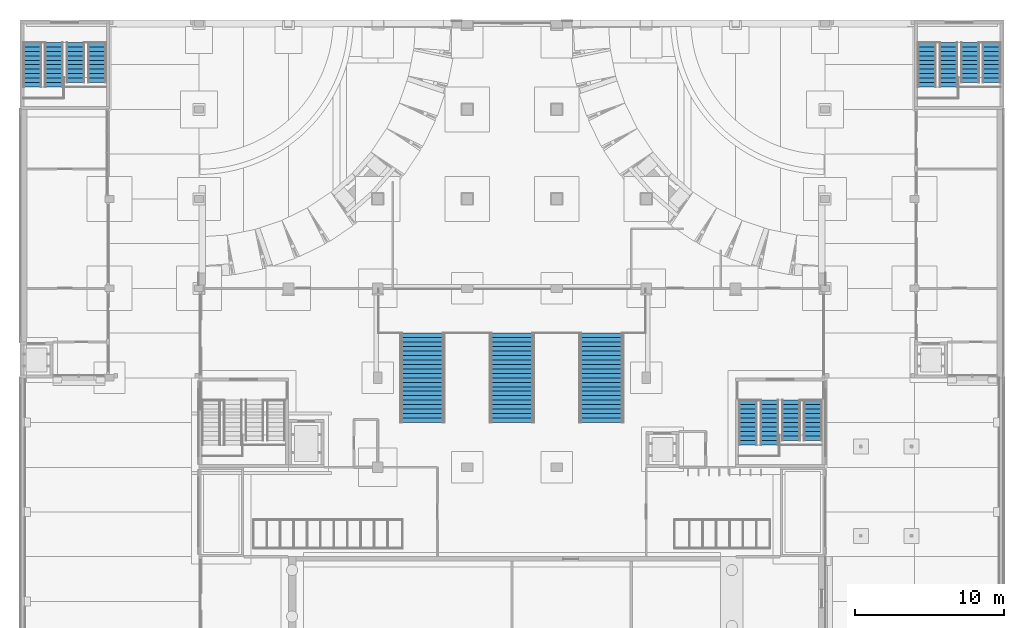
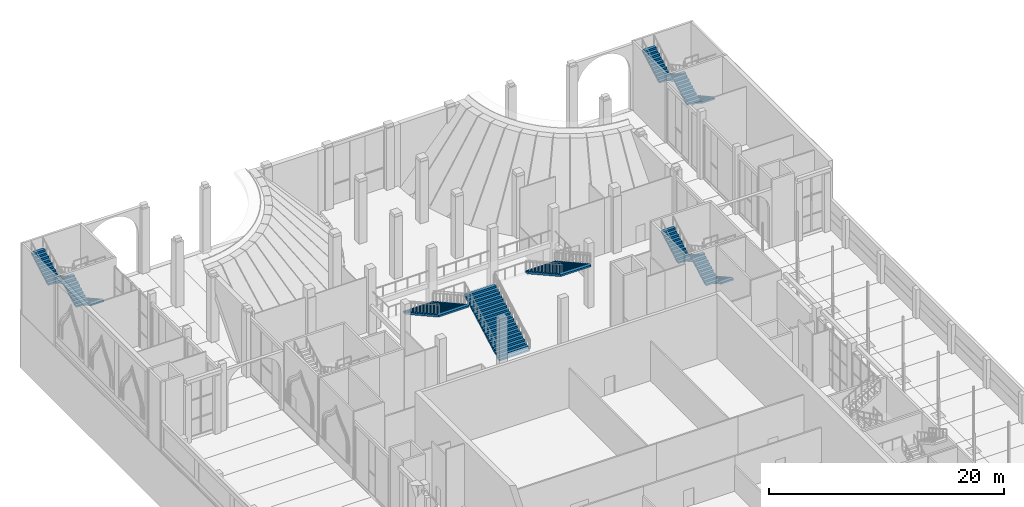
# One storey, part 55 of 95: 15 stair flights, 4 elements without a shape of their own.
"""IFC4 building model written with IfcOpenShell, lengths in metres."""

from ifc_helpers import new_model, si_unit, direction, frame, origin, place, context, subcontext, project, spatial, polyline, outline, extrude, material, type_object, element, aggregate, save


model = new_model("IFC4")

# Units and contexts
model_context = context("Model", 3, precision=1e-05, world=origin(), true_north=direction((0.0, 1.0)))
body_context = subcontext(model_context, "Body", "Model", "MODEL_VIEW")
ifc_project = project(units=[si_unit("LENGTHUNIT", "METRE"), si_unit("AREAUNIT", "SQUARE_METRE"), si_unit("VOLUMEUNIT", "CUBIC_METRE"), si_unit("PLANEANGLEUNIT", "RADIAN"), si_unit("MASSUNIT", "GRAM", prefix="KILO")], contexts=[model_context])

# Site, building, storey
site_placement = place(None, origin())
site = spatial("IfcSite", under=ifc_project, at=site_placement, CompositionType="ELEMENT")
building_placement = place(site_placement, origin())
building = spatial("IfcBuilding", under=site, at=building_placement, Name="Saffron Lane Theatres", CompositionType="ELEMENT")
storey_placement = place(building_placement, origin())
storey = spatial("IfcBuildingStorey", under=building, at=storey_placement, Name="L00", CompositionType="ELEMENT", Elevation=0.0)

# Stair, stair flights
ifc_material_1 = material(Name="Concrete N40 (40 MPa)", Category="concrete")
stair_type_1 = type_object("IfcStairType", Name="VC-STAIR EXIT", PredefinedType="TWO_STRAIGHT_RUN_STAIR", material=ifc_material_1)
stair_1_placement = place(storey_placement, origin())
stair_1 = element("IfcStair", 1, at=stair_1_placement, inside=storey, type_object=stair_type_1, Name="Brick Block East Stair L00 to L01", PredefinedType="TWO_STRAIGHT_RUN_STAIR")
ifc_material_2 = material(Name="Concrete N40 (40 MPa)", Category="concrete")
stair_flight_type_1 = type_object("IfcStairFlightType", Name="VC-FLIGHT 1250", PredefinedType="STRAIGHT", material=ifc_material_2)
stair_flight_1_placement = place(storey_placement, frame((53.175048828125, 100.5, 0.0), z_axis=(0.0, 0.0, 1.0), x_axis=(0.0, -1.0, 0.0)))
stair_flight_1 = element("IfcStairFlight", 2, at=stair_flight_1_placement, type_object=stair_flight_type_1, Name="Brick Block East Stair flight 1.1", NumberOfRisers=10, NumberOfTreads=9, PredefinedType="STRAIGHT", RiserHeight=0.166666667, TreadLength=0.3, context=body_context, shape_type="SweptSolid", body=[
    extrude(outline(polyline([(0.0, 0.0), (0.0, 0.166748046875), (0.300048828125, 0.166748046875), (0.300048828125, 0.333251953125), (0.60009765625, 0.333251953125), (0.60009765625, 0.5), (0.89990234375, 0.5), (0.89990234375, 0.666748046875), (1.199951171875, 0.666748046875), (1.199951171875, 0.833251953125), (1.5, 0.833251953125), (1.5, 1.0), (1.800048828125, 1.0), (1.800048828125, 1.166748046875), (2.10009765625, 1.166748046875), (2.10009765625, 1.333251953125), (2.39990234375, 1.333251953125), (2.39990234375, 1.5), (2.699951171875, 1.5), (2.699951171875, 1.666748046875), (2.699951171875, 1.32861328125), (0.30859375, 0.0), (0.0, 0.0)])), frame((0.0, 0.625, 0.0), z_axis=(0.0, -1.0, 0.0), x_axis=(1.0, 0.0, 0.0)), (0.0, 0.0, 1.0), 1.25),
])
stair_flight_2_placement = place(storey_placement, frame((51.72509765625, 97.800048828125, 1.666748046875), z_axis=(0.0, 0.0, 1.0), x_axis=(0.0, 1.0, 0.0)))
stair_flight_2 = element("IfcStairFlight", 3, at=stair_flight_2_placement, type_object=stair_flight_type_1, Name="Brick Block East Stair flight 1.2", NumberOfRisers=10, NumberOfTreads=9, PredefinedType="STRAIGHT", RiserHeight=0.166666667, TreadLength=0.3, context=body_context, shape_type="SweptSolid", body=[
    extrude(outline(polyline([(0.0, 0.0), (0.0, 0.166748046875), (0.300048828125, 0.166748046875), (0.300048828125, 0.333251953125), (0.60009765625, 0.333251953125), (0.60009765625, 0.5), (0.89990234375, 0.5), (0.89990234375, 0.666748046875), (1.199951171875, 0.666748046875), (1.199951171875, 0.833251953125), (1.5, 0.833251953125), (1.5, 1.0), (1.800048828125, 1.0), (1.800048828125, 1.166748046875), (2.10009765625, 1.166748046875), (2.10009765625, 1.333251953125), (2.39990234375, 1.333251953125), (2.39990234375, 1.5), (2.699951171875, 1.5), (2.699951171875, 1.666748046875), (2.699951171875, 1.32861328125), (0.30859375, 0.0), (0.0, 0.0)])), frame((0.0, 0.625, 0.0), z_axis=(0.0, -1.0, 0.0), x_axis=(1.0, 0.0, 0.0)), (0.0, 0.0, 1.0), 1.25),
])
stair_flight_3_placement = place(storey_placement, frame((50.27490234375, 100.5, 3.333251953125), z_axis=(0.0, 0.0, 1.0), x_axis=(0.0, -1.0, 0.0)))
stair_flight_3 = element("IfcStairFlight", 4, at=stair_flight_3_placement, type_object=stair_flight_type_1, Name="Brick Block East Stair flight 1.3", NumberOfRisers=11, NumberOfTreads=10, PredefinedType="STRAIGHT", RiserHeight=0.166666667, TreadLength=0.3, context=body_context, shape_type="SweptSolid", body=[
    extrude(outline(polyline([(0.0, 0.0), (0.0, 0.166748046875), (0.300048828125, 0.166748046875), (0.300048828125, 0.333251953125), (0.60009765625, 0.333251953125), (0.60009765625, 0.5), (0.89990234375, 0.5), (0.89990234375, 0.666748046875), (1.199951171875, 0.666748046875), (1.199951171875, 0.833251953125), (1.5, 0.833251953125), (1.5, 1.0), (1.800048828125, 1.0), (1.800048828125, 1.166748046875), (2.10009765625, 1.166748046875), (2.10009765625, 1.333251953125), (2.39990234375, 1.333251953125), (2.39990234375, 1.5), (2.699951171875, 1.5), (2.699951171875, 1.666748046875), (3.0, 1.666748046875), (3.0, 1.833251953125), (3.0, 1.4951171875), (0.30859375, 0.0), (0.0, 0.0)])), frame((0.0, 0.625, 0.0), z_axis=(0.0, -1.0, 0.0), x_axis=(1.0, 0.0, 0.0)), (0.0, 0.0, 1.0), 1.25),
])
stair_flight_4_placement = place(storey_placement, frame((48.824951171875, 97.5, 5.166748046875), z_axis=(0.0, 0.0, 1.0), x_axis=(0.0, 1.0, 0.0)))
stair_flight_4 = element("IfcStairFlight", 5, at=stair_flight_4_placement, type_object=stair_flight_type_1, Name="Brick Block East Stair flight 1.4", NumberOfRisers=11, NumberOfTreads=10, PredefinedType="STRAIGHT", RiserHeight=0.166666667, TreadLength=0.3, context=body_context, shape_type="SweptSolid", body=[
    extrude(outline(polyline([(0.0, 0.0), (0.0, 0.166748046875), (0.300048828125, 0.166748046875), (0.300048828125, 0.333251953125), (0.60009765625, 0.333251953125), (0.60009765625, 0.5), (0.89990234375, 0.5), (0.89990234375, 0.666748046875), (1.199951171875, 0.666748046875), (1.199951171875, 0.833251953125), (1.5, 0.833251953125), (1.5, 1.0), (1.800048828125, 1.0), (1.800048828125, 1.166748046875), (2.10009765625, 1.166748046875), (2.10009765625, 1.333251953125), (2.39990234375, 1.333251953125), (2.39990234375, 1.5), (2.699951171875, 1.5), (2.699951171875, 1.666748046875), (3.0, 1.666748046875), (3.0, 1.833251953125), (3.0, 1.4951171875), (0.30859375, 0.0), (0.0, 0.0)])), frame((0.0, 0.625, 0.0), z_axis=(0.0, -1.0, 0.0), x_axis=(1.0, 0.0, 0.0)), (0.0, 0.0, 1.0), 1.25),
])
aggregate(stair_1, [stair_flight_1, stair_flight_2, stair_flight_3, stair_flight_4])

stair_2_placement = place(storey_placement, origin())
stair_2 = element("IfcStair", 6, at=stair_2_placement, inside=storey, type_object=stair_type_1, Name="West Wing Street Stair L00 to L01", PredefinedType="TWO_STRAIGHT_RUN_STAIR")
stair_flight_5_placement = place(storey_placement, frame((5.175048828125, 124.5, 0.0), z_axis=(0.0, 0.0, 1.0), x_axis=(0.0, -1.0, 0.0)))
stair_flight_5 = element("IfcStairFlight", 7, at=stair_flight_5_placement, type_object=stair_flight_type_1, Name="West Wing Street Stair flight 1.1", NumberOfRisers=10, NumberOfTreads=9, PredefinedType="STRAIGHT", RiserHeight=0.166666667, TreadLength=0.3, context=body_context, shape_type="SweptSolid", body=[
    extrude(outline(polyline([(0.0, 0.0), (0.0, 0.166748046875), (0.300048828125, 0.166748046875), (0.300048828125, 0.333251953125), (0.60009765625, 0.333251953125), (0.60009765625, 0.5), (0.89990234375, 0.5), (0.89990234375, 0.666748046875), (1.199951171875, 0.666748046875), (1.199951171875, 0.833251953125), (1.5, 0.833251953125), (1.5, 1.0), (1.800048828125, 1.0), (1.800048828125, 1.166748046875), (2.10009765625, 1.166748046875), (2.10009765625, 1.333251953125), (2.39990234375, 1.333251953125), (2.39990234375, 1.5), (2.699951171875, 1.5), (2.699951171875, 1.666748046875), (2.699951171875, 1.32861328125), (0.30859375, 0.0), (0.0, 0.0)])), frame((0.0, 0.625, 0.0), z_axis=(0.0, -1.0, 0.0), x_axis=(1.0, 0.0, 0.0)), (0.0, 0.0, 1.0), 1.25),
])
stair_flight_6_placement = place(storey_placement, frame((3.72509765625, 121.800048828125, 1.666748046875), z_axis=(0.0, 0.0, 1.0), x_axis=(0.0, 1.0, 0.0)))
stair_flight_6 = element("IfcStairFlight", 8, at=stair_flight_6_placement, type_object=stair_flight_type_1, Name="West Wing Street Stair flight 1.2", NumberOfRisers=10, NumberOfTreads=9, PredefinedType="STRAIGHT", RiserHeight=0.166666667, TreadLength=0.3, context=body_context, shape_type="SweptSolid", body=[
    extrude(outline(polyline([(0.0, 0.0), (0.0, 0.166748046875), (0.300048828125, 0.166748046875), (0.300048828125, 0.333251953125), (0.60009765625, 0.333251953125), (0.60009765625, 0.5), (0.89990234375, 0.5), (0.89990234375, 0.666748046875), (1.199951171875, 0.666748046875), (1.199951171875, 0.833251953125), (1.5, 0.833251953125), (1.5, 1.0), (1.800048828125, 1.0), (1.800048828125, 1.166748046875), (2.10009765625, 1.166748046875), (2.10009765625, 1.333251953125), (2.39990234375, 1.333251953125), (2.39990234375, 1.5), (2.699951171875, 1.5), (2.699951171875, 1.666748046875), (2.699951171875, 1.32861328125), (0.30859375, 0.0), (0.0, 0.0)])), frame((0.0, 0.625, 0.0), z_axis=(0.0, -1.0, 0.0), x_axis=(1.0, 0.0, 0.0)), (0.0, 0.0, 1.0), 1.25),
])
stair_flight_7_placement = place(storey_placement, frame((2.27490234375, 124.5, 3.333251953125), z_axis=(0.0, 0.0, 1.0), x_axis=(0.0, -1.0, 0.0)))
stair_flight_7 = element("IfcStairFlight", 9, at=stair_flight_7_placement, type_object=stair_flight_type_1, Name="West Wing Street Stair flight 1.3", NumberOfRisers=11, NumberOfTreads=10, PredefinedType="STRAIGHT", RiserHeight=0.166666667, TreadLength=0.3, context=body_context, shape_type="SweptSolid", body=[
    extrude(outline(polyline([(0.0, 0.0), (0.0, 0.166748046875), (0.300048828125, 0.166748046875), (0.300048828125, 0.333251953125), (0.60009765625, 0.333251953125), (0.60009765625, 0.5), (0.89990234375, 0.5), (0.89990234375, 0.666748046875), (1.199951171875, 0.666748046875), (1.199951171875, 0.833251953125), (1.5, 0.833251953125), (1.5, 1.0), (1.800048828125, 1.0), (1.800048828125, 1.166748046875), (2.10009765625, 1.166748046875), (2.10009765625, 1.333251953125), (2.39990234375, 1.333251953125), (2.39990234375, 1.5), (2.699951171875, 1.5), (2.699951171875, 1.666748046875), (3.0, 1.666748046875), (3.0, 1.833251953125), (3.0, 1.4951171875), (0.30859375, 0.0), (0.0, 0.0)])), frame((0.0, 0.625, 0.0), z_axis=(0.0, -1.0, 0.0), x_axis=(1.0, 0.0, 0.0)), (0.0, 0.0, 1.0), 1.25),
])
stair_flight_8_placement = place(storey_placement, frame((0.824951171875, 121.5, 5.166748046875), z_axis=(0.0, 0.0, 1.0), x_axis=(0.0, 1.0, 0.0)))
stair_flight_8 = element("IfcStairFlight", 10, at=stair_flight_8_placement, type_object=stair_flight_type_1, Name="West Wing Street Stair flight 1.4", NumberOfRisers=11, NumberOfTreads=10, PredefinedType="STRAIGHT", RiserHeight=0.166666667, TreadLength=0.3, context=body_context, shape_type="SweptSolid", body=[
    extrude(outline(polyline([(0.0, 0.0), (0.0, 0.166748046875), (0.300048828125, 0.166748046875), (0.300048828125, 0.333251953125), (0.60009765625, 0.333251953125), (0.60009765625, 0.5), (0.89990234375, 0.5), (0.89990234375, 0.666748046875), (1.199951171875, 0.666748046875), (1.199951171875, 0.833251953125), (1.5, 0.833251953125), (1.5, 1.0), (1.800048828125, 1.0), (1.800048828125, 1.166748046875), (2.10009765625, 1.166748046875), (2.10009765625, 1.333251953125), (2.39990234375, 1.333251953125), (2.39990234375, 1.5), (2.699951171875, 1.5), (2.699951171875, 1.666748046875), (3.0, 1.666748046875), (3.0, 1.833251953125), (3.0, 1.4951171875), (0.30859375, 0.0), (0.0, 0.0)])), frame((0.0, 0.625, 0.0), z_axis=(0.0, -1.0, 0.0), x_axis=(1.0, 0.0, 0.0)), (0.0, 0.0, 1.0), 1.25),
])
aggregate(stair_2, [stair_flight_5, stair_flight_6, stair_flight_7, stair_flight_8])

stair_3_placement = place(storey_placement, origin())
stair_3 = element("IfcStair", 11, at=stair_3_placement, inside=storey, type_object=stair_type_1, Name="East Wing Street Stair L00 to L01", PredefinedType="TWO_STRAIGHT_RUN_STAIR")
stair_flight_9_placement = place(storey_placement, frame((65.175048828125, 124.5, 0.0), z_axis=(0.0, 0.0, 1.0), x_axis=(0.0, -1.0, 0.0)))
stair_flight_9 = element("IfcStairFlight", 12, at=stair_flight_9_placement, type_object=stair_flight_type_1, Name="East Wing Street Stair flight 1.1", NumberOfRisers=10, NumberOfTreads=9, PredefinedType="STRAIGHT", RiserHeight=0.166666667, TreadLength=0.3, context=body_context, shape_type="SweptSolid", body=[
    extrude(outline(polyline([(0.0, 0.0), (0.0, 0.166748046875), (0.300048828125, 0.166748046875), (0.300048828125, 0.333251953125), (0.60009765625, 0.333251953125), (0.60009765625, 0.5), (0.89990234375, 0.5), (0.89990234375, 0.666748046875), (1.199951171875, 0.666748046875), (1.199951171875, 0.833251953125), (1.5, 0.833251953125), (1.5, 1.0), (1.800048828125, 1.0), (1.800048828125, 1.166748046875), (2.10009765625, 1.166748046875), (2.10009765625, 1.333251953125), (2.39990234375, 1.333251953125), (2.39990234375, 1.5), (2.699951171875, 1.5), (2.699951171875, 1.666748046875), (2.699951171875, 1.32861328125), (0.30859375, 0.0), (0.0, 0.0)])), frame((0.0, 0.625, 0.0), z_axis=(0.0, -1.0, 0.0), x_axis=(1.0, 0.0, 0.0)), (0.0, 0.0, 1.0), 1.25),
])
stair_flight_10_placement = place(storey_placement, frame((63.72509765625, 121.800048828125, 1.666748046875), z_axis=(0.0, 0.0, 1.0), x_axis=(0.0, 1.0, 0.0)))
stair_flight_10 = element("IfcStairFlight", 13, at=stair_flight_10_placement, type_object=stair_flight_type_1, Name="East Wing Street Stair flight 1.2", NumberOfRisers=10, NumberOfTreads=9, PredefinedType="STRAIGHT", RiserHeight=0.166666667, TreadLength=0.3, context=body_context, shape_type="SweptSolid", body=[
    extrude(outline(polyline([(0.0, 0.0), (0.0, 0.166748046875), (0.300048828125, 0.166748046875), (0.300048828125, 0.333251953125), (0.60009765625, 0.333251953125), (0.60009765625, 0.5), (0.89990234375, 0.5), (0.89990234375, 0.666748046875), (1.199951171875, 0.666748046875), (1.199951171875, 0.833251953125), (1.5, 0.833251953125), (1.5, 1.0), (1.800048828125, 1.0), (1.800048828125, 1.166748046875), (2.10009765625, 1.166748046875), (2.10009765625, 1.333251953125), (2.39990234375, 1.333251953125), (2.39990234375, 1.5), (2.699951171875, 1.5), (2.699951171875, 1.666748046875), (2.699951171875, 1.32861328125), (0.30859375, 0.0), (0.0, 0.0)])), frame((0.0, 0.625, 0.0), z_axis=(0.0, -1.0, 0.0), x_axis=(1.0, 0.0, 0.0)), (0.0, 0.0, 1.0), 1.25),
])
stair_flight_11_placement = place(storey_placement, frame((62.27490234375, 124.5, 3.333251953125), z_axis=(0.0, 0.0, 1.0), x_axis=(0.0, -1.0, 0.0)))
stair_flight_11 = element("IfcStairFlight", 14, at=stair_flight_11_placement, type_object=stair_flight_type_1, Name="East Wing Street Stair flight 1.3", NumberOfRisers=11, NumberOfTreads=10, PredefinedType="STRAIGHT", RiserHeight=0.166666667, TreadLength=0.3, context=body_context, shape_type="SweptSolid", body=[
    extrude(outline(polyline([(0.0, 0.0), (0.0, 0.166748046875), (0.300048828125, 0.166748046875), (0.300048828125, 0.333251953125), (0.60009765625, 0.333251953125), (0.60009765625, 0.5), (0.89990234375, 0.5), (0.89990234375, 0.666748046875), (1.199951171875, 0.666748046875), (1.199951171875, 0.833251953125), (1.5, 0.833251953125), (1.5, 1.0), (1.800048828125, 1.0), (1.800048828125, 1.166748046875), (2.10009765625, 1.166748046875), (2.10009765625, 1.333251953125), (2.39990234375, 1.333251953125), (2.39990234375, 1.5), (2.699951171875, 1.5), (2.699951171875, 1.666748046875), (3.0, 1.666748046875), (3.0, 1.833251953125), (3.0, 1.4951171875), (0.30859375, 0.0), (0.0, 0.0)])), frame((0.0, 0.625, 0.0), z_axis=(0.0, -1.0, 0.0), x_axis=(1.0, 0.0, 0.0)), (0.0, 0.0, 1.0), 1.25),
])
stair_flight_12_placement = place(storey_placement, frame((60.824951171875, 121.5, 5.166748046875), z_axis=(0.0, 0.0, 1.0), x_axis=(0.0, 1.0, 0.0)))
stair_flight_12 = element("IfcStairFlight", 15, at=stair_flight_12_placement, type_object=stair_flight_type_1, Name="East Wing Street Stair flight 1.4", NumberOfRisers=11, NumberOfTreads=10, PredefinedType="STRAIGHT", RiserHeight=0.166666667, TreadLength=0.3, context=body_context, shape_type="SweptSolid", body=[
    extrude(outline(polyline([(0.0, 0.0), (0.0, 0.166748046875), (0.300048828125, 0.166748046875), (0.300048828125, 0.333251953125), (0.60009765625, 0.333251953125), (0.60009765625, 0.5), (0.89990234375, 0.5), (0.89990234375, 0.666748046875), (1.199951171875, 0.666748046875), (1.199951171875, 0.833251953125), (1.5, 0.833251953125), (1.5, 1.0), (1.800048828125, 1.0), (1.800048828125, 1.166748046875), (2.10009765625, 1.166748046875), (2.10009765625, 1.333251953125), (2.39990234375, 1.333251953125), (2.39990234375, 1.5), (2.699951171875, 1.5), (2.699951171875, 1.666748046875), (3.0, 1.666748046875), (3.0, 1.833251953125), (3.0, 1.4951171875), (0.30859375, 0.0), (0.0, 0.0)])), frame((0.0, 0.625, 0.0), z_axis=(0.0, -1.0, 0.0), x_axis=(1.0, 0.0, 0.0)), (0.0, 0.0, 1.0), 1.25),
])
aggregate(stair_3, [stair_flight_9, stair_flight_10, stair_flight_11, stair_flight_12])

ifc_material_3 = material(Name="Concrete N40 (40 MPa)", Category="concrete")
stair_type_2 = type_object("IfcStairType", Name="VC-STAIR GRAND", PredefinedType="DOUBLE_RETURN_STAIR", material=ifc_material_3)
stair_4_placement = place(storey_placement, origin())
stair_4 = element("IfcStair", 16, at=stair_4_placement, inside=storey, type_object=stair_type_2, Name="Grand Stair L00 to L01", PredefinedType="DOUBLE_RETURN_STAIR")
ifc_material_4 = material(Name="Concrete N40 (40 MPa)", Category="concrete")
stair_flight_type_2 = type_object("IfcStairFlightType", Name="VC-FLIGHT 3000", PredefinedType="STRAIGHT", material=ifc_material_4)
stair_flight_13_placement = place(storey_placement, frame((33.0, 99.0, 0.0), z_axis=(0.0, 0.0, 1.0), x_axis=(0.0, 1.0, 0.0)))
stair_flight_13 = element("IfcStairFlight", 17, at=stair_flight_13_placement, type_object=stair_flight_type_2, Name="Grand Stair flight 1.1", NumberOfRisers=21, NumberOfTreads=20, PredefinedType="STRAIGHT", RiserHeight=0.166666667, TreadLength=0.3, context=body_context, shape_type="SweptSolid", body=[
    extrude(outline(polyline([(0.0, 0.0), (0.0, 0.166748046875), (0.300048828125, 0.166748046875), (0.300048828125, 0.333251953125), (0.60009765625, 0.333251953125), (0.60009765625, 0.5), (0.89990234375, 0.5), (0.89990234375, 0.666748046875), (1.199951171875, 0.666748046875), (1.199951171875, 0.833251953125), (1.5, 0.833251953125), (1.5, 1.0), (1.800048828125, 1.0), (1.800048828125, 1.166748046875), (2.10009765625, 1.166748046875), (2.10009765625, 1.333251953125), (2.39990234375, 1.333251953125), (2.39990234375, 1.5), (2.699951171875, 1.5), (2.699951171875, 1.666748046875), (3.0, 1.666748046875), (3.0, 1.833251953125), (3.300048828125, 1.833251953125), (3.300048828125, 2.0), (3.60009765625, 2.0), (3.60009765625, 2.166748046875), (3.89990234375, 2.166748046875), (3.89990234375, 2.333251953125), (4.199951171875, 2.333251953125), (4.199951171875, 2.5), (4.5, 2.5), (4.5, 2.666748046875), (4.800048828125, 2.666748046875), (4.800048828125, 2.833251953125), (5.10009765625, 2.833251953125), (5.10009765625, 3.0), (5.39990234375, 3.0), (5.39990234375, 3.166748046875), (5.699951171875, 3.166748046875), (5.699951171875, 3.333251953125), (6.0, 3.333251953125), (6.0, 3.5), (6.0, 3.161865234375), (0.30859375, 0.0), (0.0, 0.0)])), frame((0.0, 1.5, 0.0), z_axis=(0.0, -1.0, 0.0), x_axis=(1.0, 0.0, 0.0)), (0.0, 0.0, 1.0), 3.0),
])
stair_flight_14_placement = place(storey_placement, frame((27.0, 105.0, 3.5), z_axis=(0.0, 0.0, 1.0), x_axis=(0.0, -1.0, 0.0)))
stair_flight_14 = element("IfcStairFlight", 18, at=stair_flight_14_placement, type_object=stair_flight_type_2, Name="Grand Stair flight 1.2", NumberOfRisers=21, NumberOfTreads=20, PredefinedType="STRAIGHT", RiserHeight=0.166666667, TreadLength=0.3, context=body_context, shape_type="SweptSolid", body=[
    extrude(outline(polyline([(0.0, 0.0), (0.0, 0.166748046875), (0.300048828125, 0.166748046875), (0.300048828125, 0.333251953125), (0.60009765625, 0.333251953125), (0.60009765625, 0.5), (0.89990234375, 0.5), (0.89990234375, 0.666748046875), (1.199951171875, 0.666748046875), (1.199951171875, 0.833251953125), (1.5, 0.833251953125), (1.5, 1.0), (1.800048828125, 1.0), (1.800048828125, 1.166748046875), (2.10009765625, 1.166748046875), (2.10009765625, 1.333251953125), (2.39990234375, 1.333251953125), (2.39990234375, 1.5), (2.699951171875, 1.5), (2.699951171875, 1.666748046875), (3.0, 1.666748046875), (3.0, 1.833251953125), (3.300048828125, 1.833251953125), (3.300048828125, 2.0), (3.60009765625, 2.0), (3.60009765625, 2.166748046875), (3.89990234375, 2.166748046875), (3.89990234375, 2.333251953125), (4.199951171875, 2.333251953125), (4.199951171875, 2.5), (4.5, 2.5), (4.5, 2.666748046875), (4.800048828125, 2.666748046875), (4.800048828125, 2.833251953125), (5.10009765625, 2.833251953125), (5.10009765625, 3.0), (5.39990234375, 3.0), (5.39990234375, 3.166748046875), (5.699951171875, 3.166748046875), (5.699951171875, 3.333251953125), (6.0, 3.333251953125), (6.0, 3.5), (6.0, 3.161865234375), (0.30859375, 0.0), (0.0, 0.0)])), frame((0.0, 1.5, 0.0), z_axis=(0.0, -1.0, 0.0), x_axis=(1.0, 0.0, 0.0)), (0.0, 0.0, 1.0), 3.0),
])
stair_flight_15_placement = place(storey_placement, frame((39.0, 105.0, 3.5), z_axis=(0.0, 0.0, 1.0), x_axis=(0.0, -1.0, 0.0)))
stair_flight_15 = element("IfcStairFlight", 19, at=stair_flight_15_placement, type_object=stair_flight_type_2, Name="Grand Stair flight 1.3", NumberOfRisers=21, NumberOfTreads=20, PredefinedType="STRAIGHT", RiserHeight=0.166666667, TreadLength=0.3, context=body_context, shape_type="SweptSolid", body=[
    extrude(outline(polyline([(0.0, 0.0), (0.0, 0.166748046875), (0.300048828125, 0.166748046875), (0.300048828125, 0.333251953125), (0.60009765625, 0.333251953125), (0.60009765625, 0.5), (0.89990234375, 0.5), (0.89990234375, 0.666748046875), (1.199951171875, 0.666748046875), (1.199951171875, 0.833251953125), (1.5, 0.833251953125), (1.5, 1.0), (1.800048828125, 1.0), (1.800048828125, 1.166748046875), (2.10009765625, 1.166748046875), (2.10009765625, 1.333251953125), (2.39990234375, 1.333251953125), (2.39990234375, 1.5), (2.699951171875, 1.5), (2.699951171875, 1.666748046875), (3.0, 1.666748046875), (3.0, 1.833251953125), (3.300048828125, 1.833251953125), (3.300048828125, 2.0), (3.60009765625, 2.0), (3.60009765625, 2.166748046875), (3.89990234375, 2.166748046875), (3.89990234375, 2.333251953125), (4.199951171875, 2.333251953125), (4.199951171875, 2.5), (4.5, 2.5), (4.5, 2.666748046875), (4.800048828125, 2.666748046875), (4.800048828125, 2.833251953125), (5.10009765625, 2.833251953125), (5.10009765625, 3.0), (5.39990234375, 3.0), (5.39990234375, 3.166748046875), (5.699951171875, 3.166748046875), (5.699951171875, 3.333251953125), (6.0, 3.333251953125), (6.0, 3.5), (6.0, 3.161865234375), (0.30859375, 0.0), (0.0, 0.0)])), frame((0.0, 1.5, 0.0), z_axis=(0.0, -1.0, 0.0), x_axis=(1.0, 0.0, 0.0)), (0.0, 0.0, 1.0), 3.0),
])
aggregate(stair_4, [stair_flight_13, stair_flight_14, stair_flight_15])

save(model, "model.ifc")
